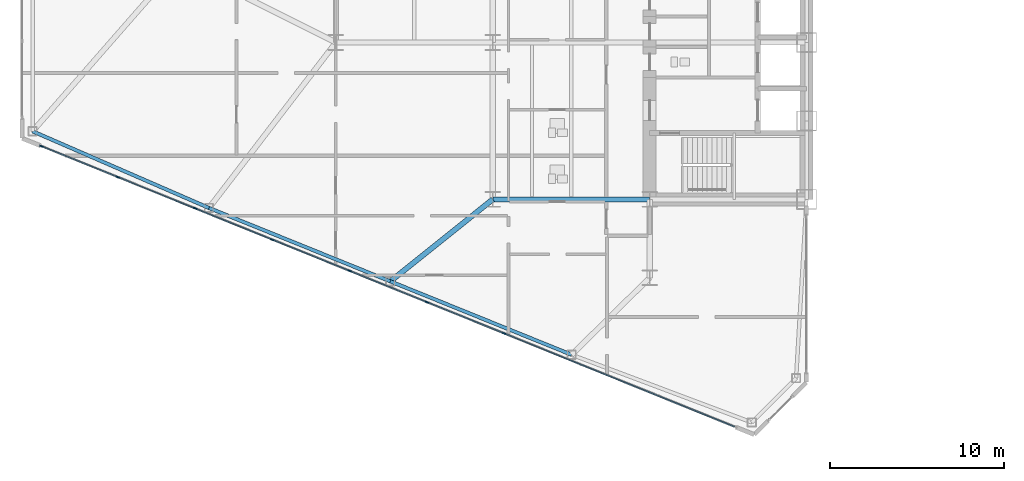
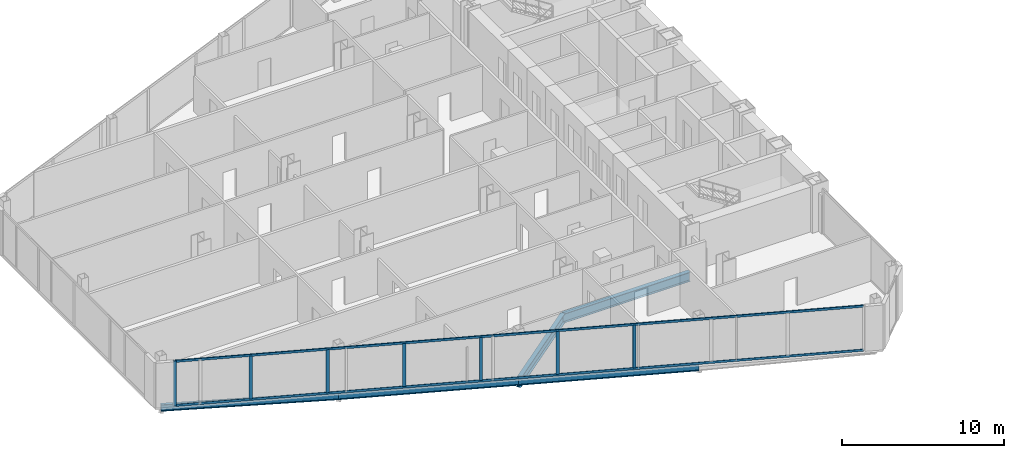
# One storey, part 3 of 25: 9 members, 5 beams, 1 element without a shape of its own.
"""IFC4 building model written with IfcOpenShell, lengths in metres."""

from ifc_helpers import new_model, si_unit, direction, frame, origin, origin_2d, place, context, subcontext, project, spatial, rectangle, i_section, extrude, source, transform, mapped, material, layer, layer_set, material_profile, profile_set, type_object, type_shapes, element, aggregate, save


model = new_model("IFC4")

# Units and contexts
model_context = context("Model", 3, precision=1e-05, world=origin(), true_north=direction((0.0, 1.0)))
body_context = subcontext(model_context, "Body", "Model", "MODEL_VIEW")
ifc_project = project(units=[si_unit("LENGTHUNIT", "METRE"), si_unit("AREAUNIT", "SQUARE_METRE"), si_unit("VOLUMEUNIT", "CUBIC_METRE"), si_unit("PLANEANGLEUNIT", "RADIAN"), si_unit("MASSUNIT", "GRAM", prefix="KILO")], contexts=[model_context])

# Site, building, storey
site_placement = place(None, origin())
site = spatial("IfcSite", under=ifc_project, at=site_placement, CompositionType="ELEMENT")
building_placement = place(site_placement, origin())
building = spatial("IfcBuilding", under=site, at=building_placement, Name="Seokmaru Belvedere", CompositionType="ELEMENT")
storey_placement = place(building_placement, frame((0.0, 0.0, 36.89990234375)))
storey = spatial("IfcBuildingStorey", under=building, at=storey_placement, Name="L09", CompositionType="ELEMENT", Elevation=36.89990234375)

# Beams
ifc_material_1 = material(Name="Steel SM355 (355 MPa)", Category="steel")
ifc_material_profile_1 = material_profile(ifc_material_1, i_section(OverallWidth=0.300048828125, OverallDepth=0.699951171875, WebThickness=0.012939453125, FlangeThickness=0.02392578125, at=origin_2d()), Name="H-700x300x13x24")
ifc_profile_set_1 = profile_set([ifc_material_profile_1], Name="Steel SM355 (355 MPa)")
beam_type_1 = type_object("IfcBeamType", Name="Primary Floor Girder H-700", PredefinedType="BEAM", material=ifc_profile_set_1)
shared_shape_1 = source(origin(), body_context, "Body", "SweptSolid", [
    extrude(i_section(OverallWidth=0.300048828125, OverallDepth=0.699951171875, WebThickness=0.012939453125, FlangeThickness=0.02392578125, at=origin_2d()), origin(), (0.0, 0.0, 1.0), 9.0),
])
beam_1_placement = place(storey_placement, frame((-45.5, -13.5, -0.56982421875), z_axis=(1.0, 0.0, 0.0), x_axis=(0.0, 1.0, 0.0)))
element("IfcBeam", 1, at=beam_1_placement, inside=storey, type_object=beam_type_1, Name="L09 W Wing Primary Girder 1", PredefinedType="BEAM", context=body_context, shape_type="MappedRepresentation", body=[
    mapped(shared_shape_1, transform((0.0, 0.0, 0.0), scale=1.0)),
])
ifc_material_profile_2 = material_profile(ifc_material_1, i_section(OverallWidth=0.199951171875, OverallDepth=0.5, WebThickness=0.010009765625, FlangeThickness=0.01611328125, at=origin_2d()), Name="H-500x200x10x16")
ifc_profile_set_2 = profile_set([ifc_material_profile_2], Name="Steel SM355 (355 MPa)")
beam_type_2 = type_object("IfcBeamType", Name="Perimeter Spandrel Beam H-500", PredefinedType="SPANDREL", material=ifc_profile_set_2)
shared_shape_2 = source(origin(), body_context, "Body", "SweptSolid", [
    extrude(i_section(OverallWidth=0.199951171875, OverallDepth=0.5, WebThickness=0.010009765625, FlangeThickness=0.01611328125, at=origin_2d()), origin(), (0.0, 0.0, 1.0), 11.220703125),
])
for number, where, z_axis, x_axis, name in (
    (2, (-40.977294921875, -22.4140625, -0.469970703125), (-0.926944290816, 0.375198989503, 0.0), (-0.375198989503, -0.926944290816, 0.0), "L09 W Faceted Flank Spandrel S-2"),
    (3, (-51.378173828125, -18.2041015625, -0.469970703125), (-0.926944290816, 0.375198989503, 0.0), (-0.375198989503, -0.926944290816, 0.0), "L09 W Faceted Flank Spandrel S-3"),
):
    element("IfcBeam", number, at=place(storey_placement, frame(where, z_axis=z_axis, x_axis=x_axis)), inside=storey, type_object=beam_type_2, Name=name, PredefinedType="SPANDREL", context=body_context, shape_type="MappedRepresentation", body=[
        mapped(shared_shape_2, transform((0.0, 0.0, 0.0), scale=1.0)),
    ])
shared_shape_3 = source(origin(), body_context, "Body", "SweptSolid", [
    extrude(i_section(OverallWidth=0.199951171875, OverallDepth=0.5, WebThickness=0.010009765625, FlangeThickness=0.01611328125, at=origin_2d()), origin(), (0.0, 0.0, 1.0), 11.035400390625),
])
type_shapes(beam_type_2, [shared_shape_2, shared_shape_3])
beam_2_placement = place(storey_placement, frame((-61.779052734375, -13.994140625, -0.469970703125), z_axis=(-0.917134058682, 0.398578873507, 0.0), x_axis=(-0.398578873507, -0.917134058682, 0.0)))
element("IfcBeam", 4, at=beam_2_placement, inside=storey, type_object=beam_type_2, Name="L09 W Faceted Flank Spandrel S-4", PredefinedType="SPANDREL", context=body_context, shape_type="MappedRepresentation", body=[
    mapped(shared_shape_3, transform((0.0, 0.0, 0.0), scale=1.0)),
])
shared_shape_4 = source(origin(), body_context, "Body", "SweptSolid", [
    extrude(i_section(OverallWidth=0.300048828125, OverallDepth=0.699951171875, WebThickness=0.012939453125, FlangeThickness=0.02392578125, at=origin_2d()), origin(), (0.0, 0.0, 1.0), 7.52880859375),
])
type_shapes(beam_type_1, [shared_shape_1, shared_shape_4])
beam_3_placement = place(storey_placement, frame((-51.378173828125, -18.2041015625, -0.56982421875), z_axis=(0.780767560736, 0.624821587418, 0.0), x_axis=(-0.624821587418, 0.780767560736, 0.0)))
element("IfcBeam", 5, at=beam_3_placement, inside=storey, type_object=beam_type_1, Name="L09 W Flank Radial Floor Girder S-2", PredefinedType="BEAM", context=body_context, shape_type="MappedRepresentation", body=[
    mapped(shared_shape_4, transform((0.0, 0.0, 0.0), scale=1.0)),
])

# Curtain wall, members
ifc_material_2 = material(Name="Bronze Triple Insulating Glass", Category="glass")
ifc_layer = layer(ifc_material_2, 0.2099609375)
ifc_layer_set = layer_set([ifc_layer], Name="Bronze Triple Insulating Glass")
curtain_wall_type = type_object("IfcCurtainWallType", Name="Low-Rise Faceted Crystal Curtain Wall System CW-2", PredefinedType="NOTDEFINED", material=ifc_layer_set)
curtain_wall_placement = place(storey_placement, origin())
curtain_wall = element("IfcCurtainWall", 6, at=curtain_wall_placement, inside=storey, type_object=curtain_wall_type, Name="L09 Curtain Wall WF5", PredefinedType="NOTDEFINED")
ifc_material_3 = material(Name="Anodised Bronze Aluminium", Category="aluminium")
ifc_material_profile_3 = material_profile(ifc_material_3, rectangle(XDim=0.074951171875, YDim=0.2099609375, at=origin_2d()), Name="CW-M-75x210")
ifc_profile_set_3 = profile_set([ifc_material_profile_3], Name="Anodised Bronze Aluminium")
member_type_1 = type_object("IfcMemberType", Name="Bronze Unitised Mullion 75x210", PredefinedType="MULLION", material=ifc_profile_set_3)
shared_shape_5 = source(origin(), body_context, "Body", "SweptSolid", [
    extrude(rectangle(XDim=0.074951171875, YDim=0.2099609375, at=origin_2d()), origin(), (0.0, 0.0, 1.0), 3.380126953125),
])
member_1_placement = place(storey_placement, frame((-71.399169921875, -10.445556640625, 0.0), z_axis=(0.0, 0.0, 1.0), x_axis=(0.375192321888, 0.926946989637, 0.0)))
member_1 = element("IfcMember", 7, at=member_1_placement, type_object=member_type_1, Name="CW:L09:WF5 Mullion 1", PredefinedType="MULLION", context=body_context, shape_type="MappedRepresentation", body=[
    mapped(shared_shape_5, transform((0.0, 0.0, 0.0), scale=1.0)),
])
shared_shape_6 = source(origin(), body_context, "Body", "SweptSolid", [
    extrude(rectangle(XDim=0.074951171875, YDim=0.2099609375, at=origin_2d()), origin(), (0.0, 0.0, 1.0), 3.239990234375),
])
type_shapes(member_type_1, [shared_shape_5, shared_shape_6])
member_2_placement = place(storey_placement, frame((-67.004150390625, -12.224609375, 0.070068359375), z_axis=(0.0, 0.0, 1.0), x_axis=(0.375192321888, 0.926946989637, 0.0)))
member_2 = element("IfcMember", 8, at=member_2_placement, type_object=member_type_1, Name="CW:L09:WF5 Mullion 2", PredefinedType="MULLION", context=body_context, shape_type="MappedRepresentation", body=[
    mapped(shared_shape_6, transform((0.0, 0.0, 0.0), scale=1.0)),
])
member_3_placement = place(storey_placement, frame((-62.574462890625, -14.017578125, 0.070068359375), z_axis=(0.0, 0.0, 1.0), x_axis=(0.375192321888, 0.926946989637, 0.0)))
member_3 = element("IfcMember", 9, at=member_3_placement, type_object=member_type_1, Name="CW:L09:WF5 Mullion 3", PredefinedType="MULLION", context=body_context, shape_type="MappedRepresentation", body=[
    mapped(shared_shape_6, transform((0.0, 0.0, 0.0), scale=1.0)),
])
member_4_placement = place(storey_placement, frame((-58.144775390625, -15.810546875, 0.070068359375), z_axis=(0.0, 0.0, 1.0), x_axis=(0.375192321888, 0.926946989637, 0.0)))
member_4 = element("IfcMember", 10, at=member_4_placement, type_object=member_type_1, Name="CW:L09:WF5 Mullion 4", PredefinedType="MULLION", context=body_context, shape_type="MappedRepresentation", body=[
    mapped(shared_shape_6, transform((0.0, 0.0, 0.0), scale=1.0)),
])
member_5_placement = place(storey_placement, frame((-53.71484375, -17.603515625, 0.070068359375), z_axis=(0.0, 0.0, 1.0), x_axis=(0.375192321888, 0.926946989637, 0.0)))
member_5 = element("IfcMember", 11, at=member_5_placement, type_object=member_type_1, Name="CW:L09:WF5 Mullion 5", PredefinedType="MULLION", context=body_context, shape_type="MappedRepresentation", body=[
    mapped(shared_shape_6, transform((0.0, 0.0, 0.0), scale=1.0)),
])
member_6_placement = place(storey_placement, frame((-49.28515625, -19.396484375, 0.070068359375), z_axis=(0.0, 0.0, 1.0), x_axis=(0.375192321888, 0.926946989637, 0.0)))
member_6 = element("IfcMember", 12, at=member_6_placement, type_object=member_type_1, Name="CW:L09:WF5 Mullion 6", PredefinedType="MULLION", context=body_context, shape_type="MappedRepresentation", body=[
    mapped(shared_shape_6, transform((0.0, 0.0, 0.0), scale=1.0)),
])
member_7_placement = place(storey_placement, frame((-44.855224609375, -21.189453125, 0.070068359375), z_axis=(0.0, 0.0, 1.0), x_axis=(0.375192321888, 0.926946989637, 0.0)))
member_7 = element("IfcMember", 13, at=member_7_placement, type_object=member_type_1, Name="CW:L09:WF5 Mullion 7", PredefinedType="MULLION", context=body_context, shape_type="MappedRepresentation", body=[
    mapped(shared_shape_6, transform((0.0, 0.0, 0.0), scale=1.0)),
])
ifc_material_profile_4 = material_profile(ifc_material_3, rectangle(XDim=0.070068359375, YDim=0.1650390625, at=origin_2d()), Name="CW-T-70x165")
ifc_profile_set_4 = profile_set([ifc_material_profile_4], Name="Anodised Bronze Aluminium")
member_type_2 = type_object("IfcMemberType", Name="Bronze Unitised Transom 70x165", PredefinedType="USERDEFINED", material=ifc_profile_set_4)
shared_shape_7 = source(origin(), body_context, "Body", "SweptSolid", [
    extrude(rectangle(XDim=0.070068359375, YDim=0.1650390625, at=origin_2d()), origin(), (0.0, 0.0, 1.0), 42.860107421875),
])
type_shapes(member_type_2, [shared_shape_7])
member_8_placement = place(storey_placement, frame((-71.364501953125, -10.459716796875, 0.03515625), z_axis=(0.926948605599, -0.375188329481, 0.0), x_axis=(0.375188329481, 0.926948605599, 0.0)))
member_8 = element("IfcMember", 14, at=member_8_placement, type_object=member_type_2, Name="CW:L09:WF5 Continuous Transom 1", ObjectType="TRANSOM", PredefinedType="USERDEFINED", context=body_context, shape_type="MappedRepresentation", body=[
    mapped(shared_shape_7, transform((0.0, 0.0, 0.0), scale=1.0)),
])
member_9_placement = place(storey_placement, frame((-71.364501953125, -10.459716796875, 3.34521484375), z_axis=(0.926948605599, -0.375188329481, 0.0), x_axis=(0.375188329481, 0.926948605599, 0.0)))
member_9 = element("IfcMember", 15, at=member_9_placement, type_object=member_type_2, Name="CW:L09:WF5 Continuous Transom 2", ObjectType="TRANSOM", PredefinedType="USERDEFINED", context=body_context, shape_type="MappedRepresentation", body=[
    mapped(shared_shape_7, transform((0.0, 0.0, 0.0), scale=1.0)),
])
aggregate(curtain_wall, [member_1, member_2, member_3, member_4, member_5, member_6, member_7, member_8, member_9])

save(model, "model.ifc")
